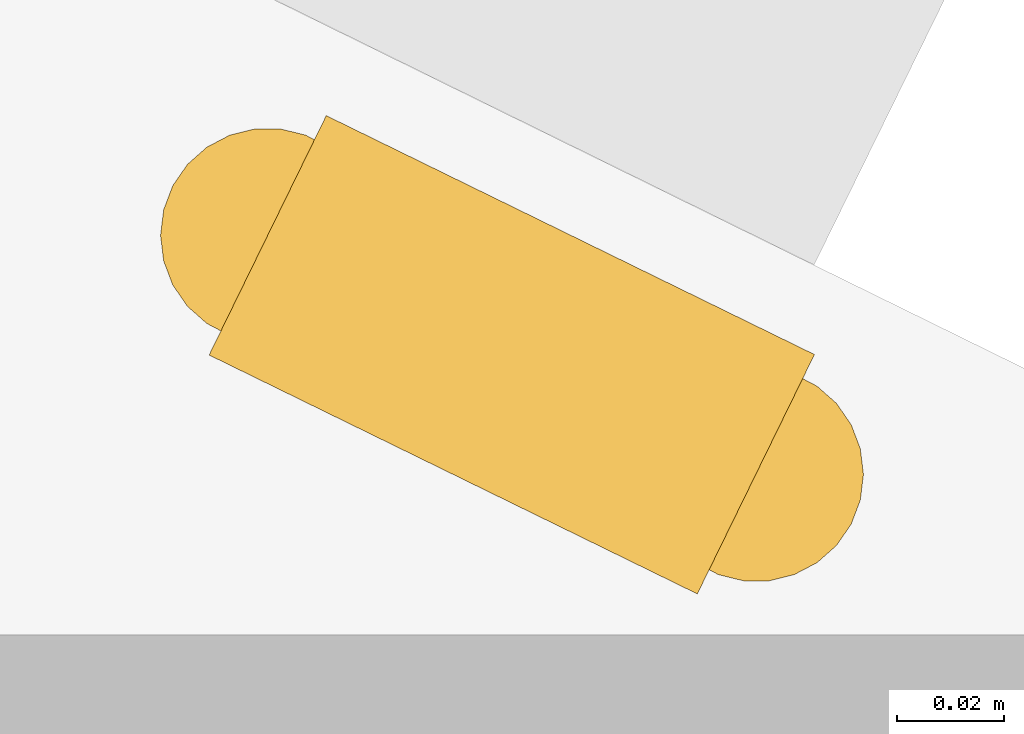
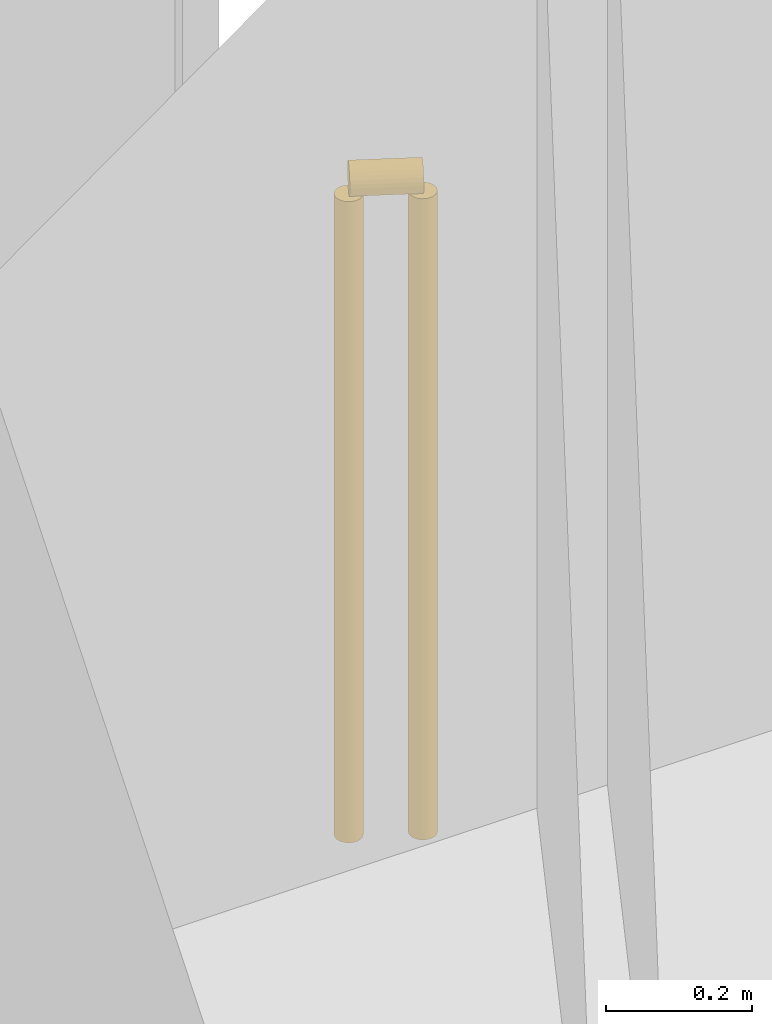
# One storey, part 37 of 38: 1 railing.
"""IFC4 building model written with IfcOpenShell, lengths in metres."""

from ifc_helpers import new_model, si_unit, direction, frame, origin, origin_2d, place, context, subcontext, project, spatial, circle, extrude, material, type_object, element, save


model = new_model("IFC4")

# Units and contexts
model_context = context("Model", 3, precision=1e-05, world=origin(), true_north=direction((0.0, 1.0)))
body_context = subcontext(model_context, "Body", "Model", "MODEL_VIEW")
ifc_project = project(units=[si_unit("LENGTHUNIT", "METRE"), si_unit("AREAUNIT", "SQUARE_METRE"), si_unit("VOLUMEUNIT", "CUBIC_METRE"), si_unit("PLANEANGLEUNIT", "RADIAN"), si_unit("MASSUNIT", "GRAM", prefix="KILO")], contexts=[model_context])

# Site, building, storey
site_placement = place(None, origin())
site = spatial("IfcSite", under=ifc_project, at=site_placement, CompositionType="ELEMENT")
building_placement = place(site_placement, origin())
building = spatial("IfcBuilding", under=site, at=building_placement, Name="Orlundy Tower", CompositionType="ELEMENT")
storey_placement = place(building_placement, frame((0.0, 0.0, 62.300048828125)))
storey = spatial("IfcBuildingStorey", under=building, at=storey_placement, Name="L14", CompositionType="ELEMENT", Elevation=62.300048828125)

# Railing
ifc_material = material(Name="Stainless steel bronze finish", Category="steel")
railing_type = type_object("IfcRailingType", Name="TG1 terrace guard", PredefinedType="GUARDRAIL", material=ifc_material)
railing_placement = place(storey_placement, frame((46.218994140625, -0.47021484375, 0.0)))
element("IfcRailing", 1, at=railing_placement, inside=storey, type_object=railing_type, Name="Guard TG-L14-E02", PredefinedType="GUARDRAIL", context=body_context, shape_type="SweptSolid", body=[
    extrude(circle(Radius=0.02490234375, at=origin_2d()), frame((0.0, 0.0, 1.09521484375), z_axis=(0.898236896108, -0.439511636331, 0.0), x_axis=(0.439511636331, 0.898236896108, 0.0)), (0.0, 0.0, 1.0), 0.1015625),
    extrude(circle(Radius=0.02001953125, at=origin_2d()), origin(), (0.0, 0.0, 1.0), 1.070068359375),
    extrude(circle(Radius=0.02001953125, at=origin_2d()), frame((0.09130859375, -0.044677734375, 0.0)), (0.0, 0.0, 1.0), 1.070068359375),
])

save(model, "model.ifc")
